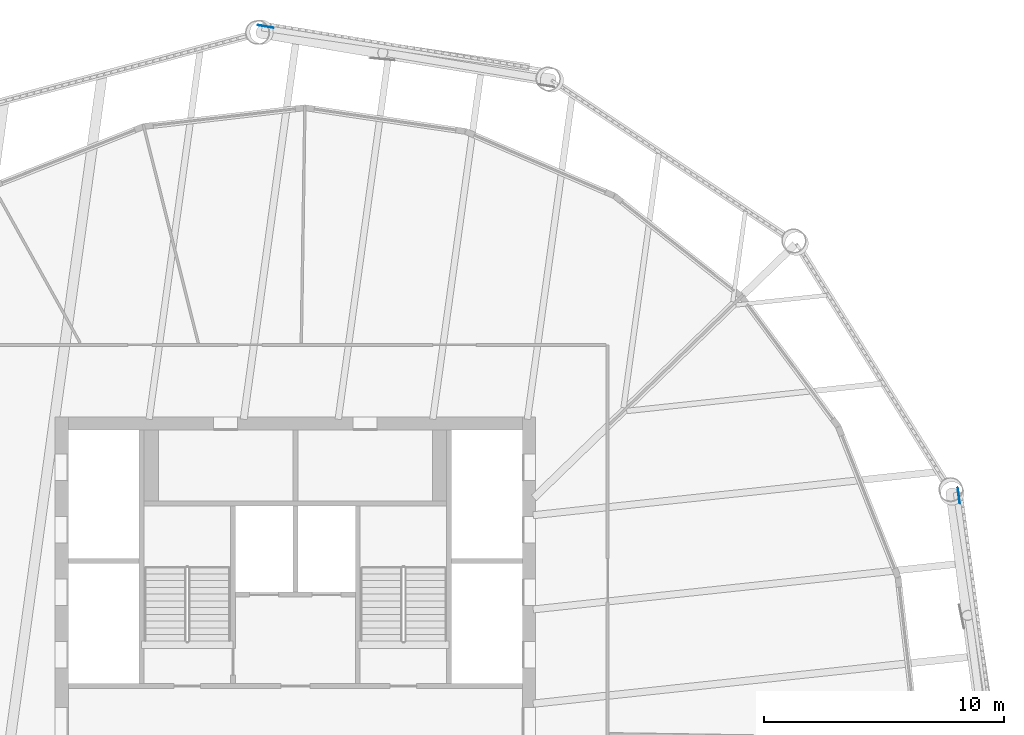
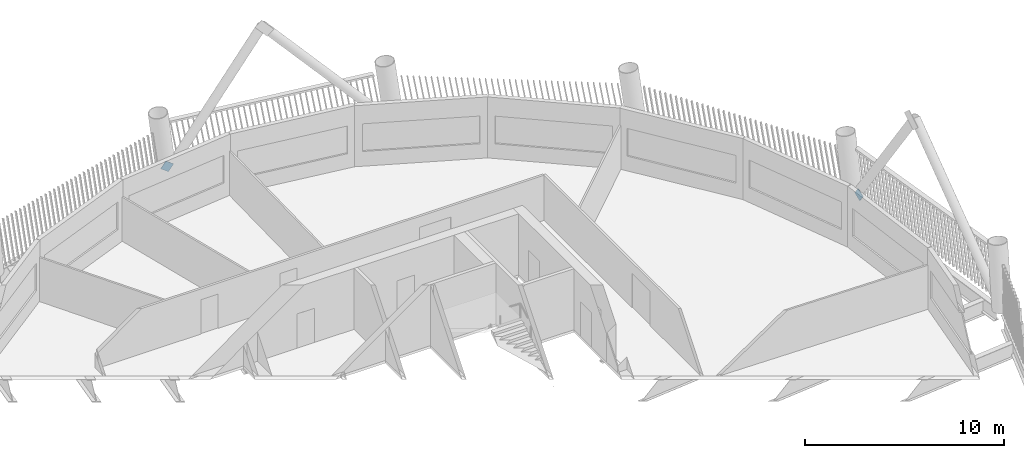
# One storey, part 13 of 21: 2 discrete accessories.
"""IFC4 building model written with IfcOpenShell, lengths in metres."""

from ifc_helpers import new_model, si_unit, direction, frame, origin, origin_2d, place, context, subcontext, project, spatial, rectangle, extrude, material, material_profile, profile_set, type_object, element, save


model = new_model("IFC4")

# Units and contexts
model_context = context("Model", 3, precision=1e-05, world=origin(), true_north=direction((0.0, 1.0)))
body_context = subcontext(model_context, "Body", "Model", "MODEL_VIEW")
ifc_project = project(units=[si_unit("LENGTHUNIT", "METRE"), si_unit("AREAUNIT", "SQUARE_METRE"), si_unit("VOLUMEUNIT", "CUBIC_METRE"), si_unit("PLANEANGLEUNIT", "RADIAN"), si_unit("MASSUNIT", "GRAM", prefix="KILO")], contexts=[model_context])

# Site, building, storey
site_placement = place(None, origin())
site = spatial("IfcSite", under=ifc_project, at=site_placement, CompositionType="ELEMENT")
building_placement = place(site_placement, origin())
building = spatial("IfcBuilding", under=site, at=building_placement, Name="Tarsis Ring Headquarters", CompositionType="ELEMENT")
storey_placement = place(building_placement, frame((0.0, 0.0, 255.199951171875)))
storey = spatial("IfcBuildingStorey", under=building, at=storey_placement, Name="L59", CompositionType="ELEMENT", Elevation=255.199951171875)

# Discrete accessories
ifc_material = material(Name="Structural steel S355", Category="steel")
ifc_material_profile = material_profile(ifc_material, rectangle(XDim=0.02490234375, YDim=0.5, at=origin_2d()), Name="PL 25x500")
ifc_profile_set = profile_set([ifc_material_profile], Name="Structural steel S355")
discrete_accessory_type = type_object("IfcDiscreteAccessoryType", Name="Gusset plate Exo brace 25", PredefinedType="BRACKET", material=ifc_profile_set)
for number, where, z_axis, x_axis, name in (
    (1, (27.599365234375, 9.863525390625, 0.0), (0.070784489021, -0.545284649909, 0.835256970451), (0.991679434702, 0.128731887226, 0.0), "Gusset plate GP5"),
    (2, (-1.377197265625, 29.276611328125, 0.0), (0.541973709841, -0.091305480847, 0.835420736521), (0.166127478639, 0.986104284972, 0.0), "Gusset plate GP5"),
):
    element("IfcDiscreteAccessory", number, at=place(storey_placement, frame(where, z_axis=z_axis, x_axis=x_axis)), inside=storey, type_object=discrete_accessory_type, Name=name, PredefinedType="BRACKET", context=body_context, shape_type="SweptSolid", body=[
        extrude(rectangle(XDim=0.02490234375, YDim=0.5, at=origin_2d()), origin(), (0.0, 0.0, 1.0), 0.5),
    ])

save(model, "model.ifc")
